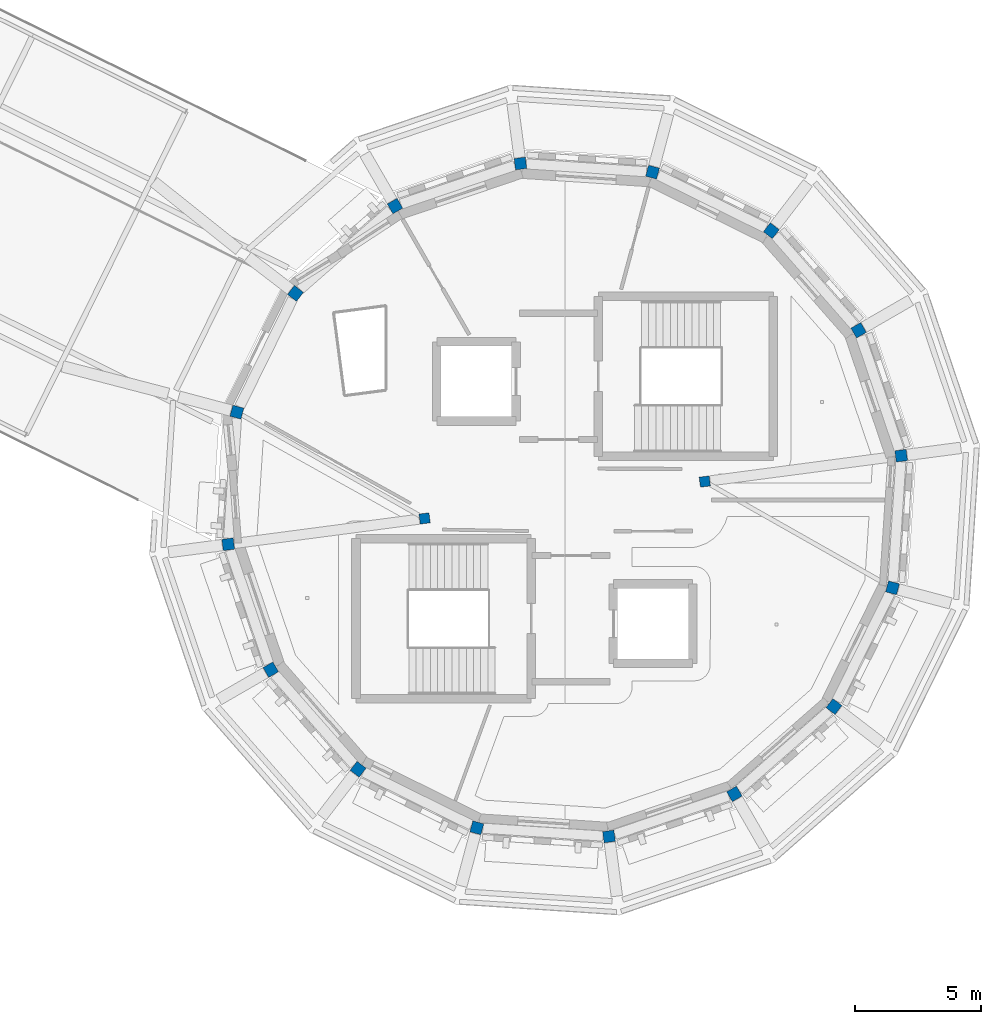
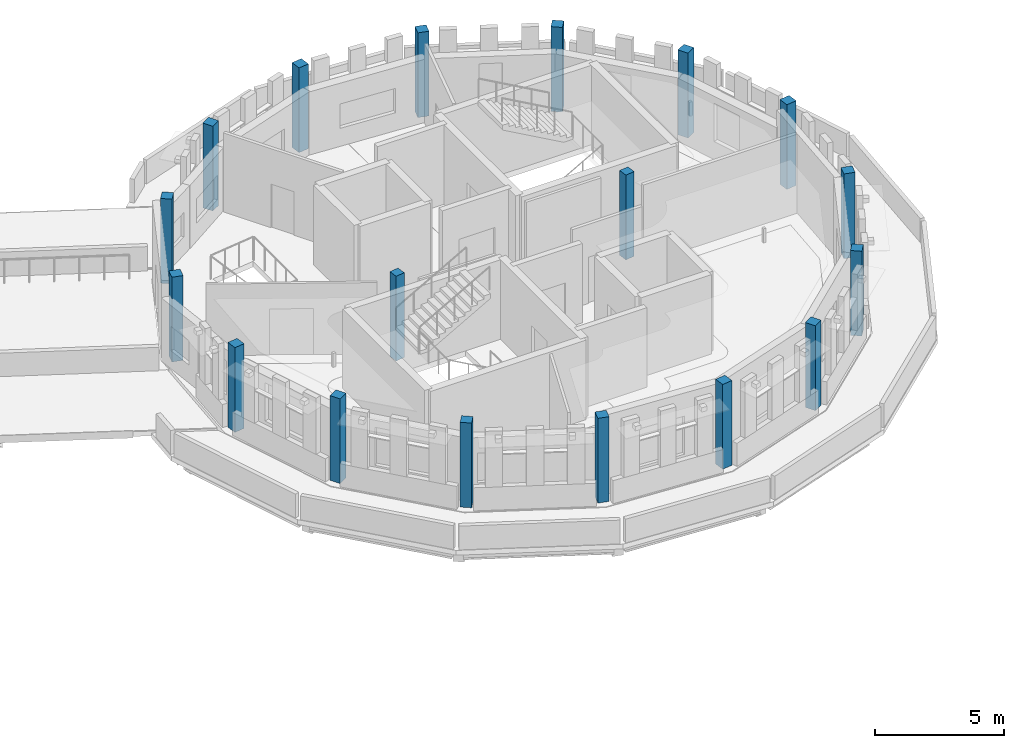
# One storey, part 7 of 51: 18 columns.
"""IFC4 building model written with IfcOpenShell, lengths in metres."""

from ifc_helpers import new_model, si_unit, direction, frame, origin, origin_2d, place, context, subcontext, project, spatial, rectangle, extrude, material, material_profile, profile_set, type_object, element, save


model = new_model("IFC4")

# Units and contexts
model_context = context("Model", 3, precision=1e-05, world=origin(), true_north=direction((0.0, 1.0)))
body_context = subcontext(model_context, "Body", "Model", "MODEL_VIEW")
ifc_project = project(units=[si_unit("LENGTHUNIT", "METRE"), si_unit("AREAUNIT", "SQUARE_METRE"), si_unit("VOLUMEUNIT", "CUBIC_METRE"), si_unit("PLANEANGLEUNIT", "RADIAN"), si_unit("MASSUNIT", "GRAM", prefix="KILO")], contexts=[model_context])

# Site, building, storey
site_placement = place(None, origin())
site = spatial("IfcSite", under=ifc_project, at=site_placement, CompositionType="ELEMENT")
building_placement = place(site_placement, origin())
building = spatial("IfcBuilding", under=site, at=building_placement, Name="Wrenclough Park School", CompositionType="ELEMENT")
storey_placement = place(building_placement, frame((0.0, 0.0, 16.800048828125)))
storey = spatial("IfcBuildingStorey", under=building, at=storey_placement, Name="L04", CompositionType="ELEMENT", Elevation=16.800048828125)

# Columns
ifc_material = material(Name="Concrete C40/50", Category="concrete")
ifc_material_profile_1 = material_profile(ifc_material, rectangle(XDim=0.39990234375, YDim=0.39990234375, at=origin_2d()), Name="RC COL 400x400")
ifc_profile_set_1 = profile_set([ifc_material_profile_1], Name="Concrete C40/50")
column_type_1 = type_object("IfcColumnType", Name="STR-COL-RC400", PredefinedType="COLUMN", material=ifc_profile_set_1)
for number, where, z_axis, x_axis, name in (
    (1, (180.052001953125, 94.23095703125, 0.0), (0.0, 0.0, 1.0), (0.991444861374, 0.13052619222, 0.0), "D5 L04 column D5-INN-01"),
    (2, (168.947998046875, 92.76904296875, 0.0), (0.0, 0.0, 1.0), (-0.991444861374, -0.13052619222, 0.0), "D5 L04 column D5-INN-05"),
):
    element("IfcColumn", number, at=place(storey_placement, frame(where, z_axis=z_axis, x_axis=x_axis)), inside=storey, type_object=column_type_1, Name=name, PredefinedType="COLUMN", context=body_context, shape_type="SweptSolid", body=[
        extrude(rectangle(XDim=0.39990234375, YDim=0.39990234375, at=origin_2d()), origin(), (0.0, 0.0, 1.0), 4.0),
    ])
ifc_material_profile_2 = material_profile(ifc_material, rectangle(XDim=0.449951171875, YDim=0.449951171875, at=origin_2d()), Name="RC COL 450x450")
ifc_profile_set_2 = profile_set([ifc_material_profile_2], Name="Concrete C40/50")
column_type_2 = type_object("IfcColumnType", Name="STR-COL-RC450", PredefinedType="COLUMN", material=ifc_profile_set_2)
for number, where, z_axis, x_axis, name in (
    (3, (187.8349609375, 95.255615234375, 0.0), (0.0, 0.0, 1.0), (-0.13052619222, 0.991444861374, 0.0), "D5 L04 column D5-MID-01"),
    (4, (186.14794921875, 100.22509765625, 0.0), (0.0, 0.0, 1.0), (-0.5, 0.866025403784, 0.0), "D5 L04 column D5-MID-02"),
    (5, (182.687744140625, 104.170654296875, 0.0), (0.0, 0.0, 1.0), (-0.793353340291, 0.608761429009, 0.0), "D5 L04 column D5-MID-03"),
    (6, (177.981201171875, 106.49169921875, 0.0), (0.0, 0.0, 1.0), (-0.965925826289, 0.258819045103, 0.0), "D5 L04 column D5-MID-04"),
    (7, (172.744384765625, 106.8349609375, 0.0), (0.0, 0.0, 1.0), (-0.991444861374, -0.13052619222, 0.0), "D5 L04 column D5-MID-05"),
    (8, (167.77490234375, 105.14794921875, 0.0), (0.0, 0.0, 1.0), (-0.866025403784, -0.5, 0.0), "D5 L04 column D5-MID-06"),
    (9, (163.829345703125, 101.687744140625, 0.0), (0.0, 0.0, 1.0), (-0.608761429009, -0.793353340291, 0.0), "D5 L04 column D5-MID-07"),
    (10, (161.50830078125, 96.981201171875, 0.0), (0.0, 0.0, 1.0), (-0.258819045103, -0.965925826289, 0.0), "D5 L04 column D5-MID-08"),
    (11, (161.1650390625, 91.744384765625, 0.0), (0.0, 0.0, 1.0), (0.13052619222, -0.991444861374, 0.0), "D5 L04 column D5-MID-09"),
    (12, (162.85205078125, 86.77490234375, 0.0), (0.0, 0.0, 1.0), (0.5, -0.866025403784, 0.0), "D5 L04 column D5-MID-10"),
    (13, (166.312255859375, 82.829345703125, 0.0), (0.0, 0.0, 1.0), (0.793353340291, -0.608761429009, 0.0), "D5 L04 column D5-MID-11"),
    (14, (171.018798828125, 80.50830078125, 0.0), (0.0, 0.0, 1.0), (0.965925826289, -0.258819045103, 0.0), "D5 L04 column D5-MID-12"),
    (15, (176.255615234375, 80.1650390625, 0.0), (0.0, 0.0, 1.0), (0.991444861374, 0.13052619222, 0.0), "D5 L04 column D5-MID-13"),
    (16, (181.22509765625, 81.85205078125, 0.0), (0.0, 0.0, 1.0), (0.866025403784, 0.5, 0.0), "D5 L04 column D5-MID-14"),
    (17, (185.170654296875, 85.312255859375, 0.0), (0.0, 0.0, 1.0), (0.608761429009, 0.793353340291, 0.0), "D5 L04 column D5-MID-15"),
    (18, (187.49169921875, 90.018798828125, 0.0), (0.0, 0.0, 1.0), (0.258819045103, 0.965925826289, 0.0), "D5 L04 column D5-MID-16"),
):
    element("IfcColumn", number, at=place(storey_placement, frame(where, z_axis=z_axis, x_axis=x_axis)), inside=storey, type_object=column_type_2, Name=name, PredefinedType="COLUMN", context=body_context, shape_type="SweptSolid", body=[
        extrude(rectangle(XDim=0.449951171875, YDim=0.449951171875, at=origin_2d()), origin(), (0.0, 0.0, 1.0), 4.0),
    ])

save(model, "model.ifc")
